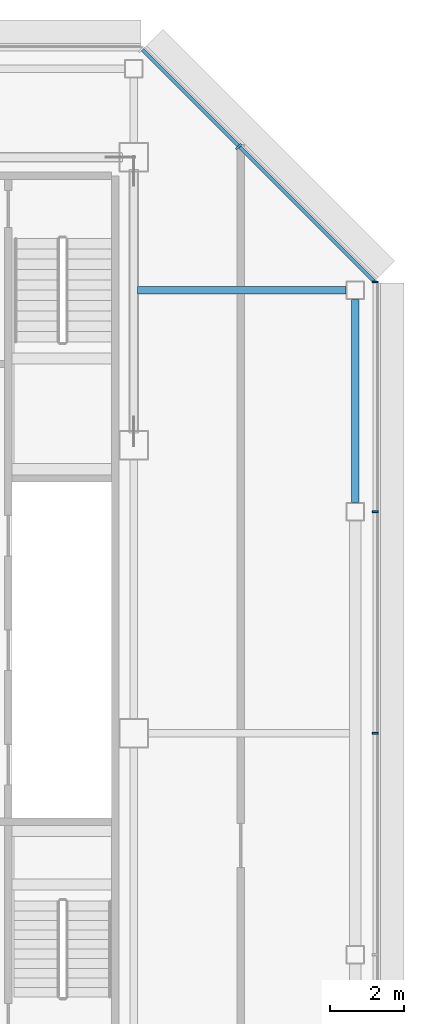
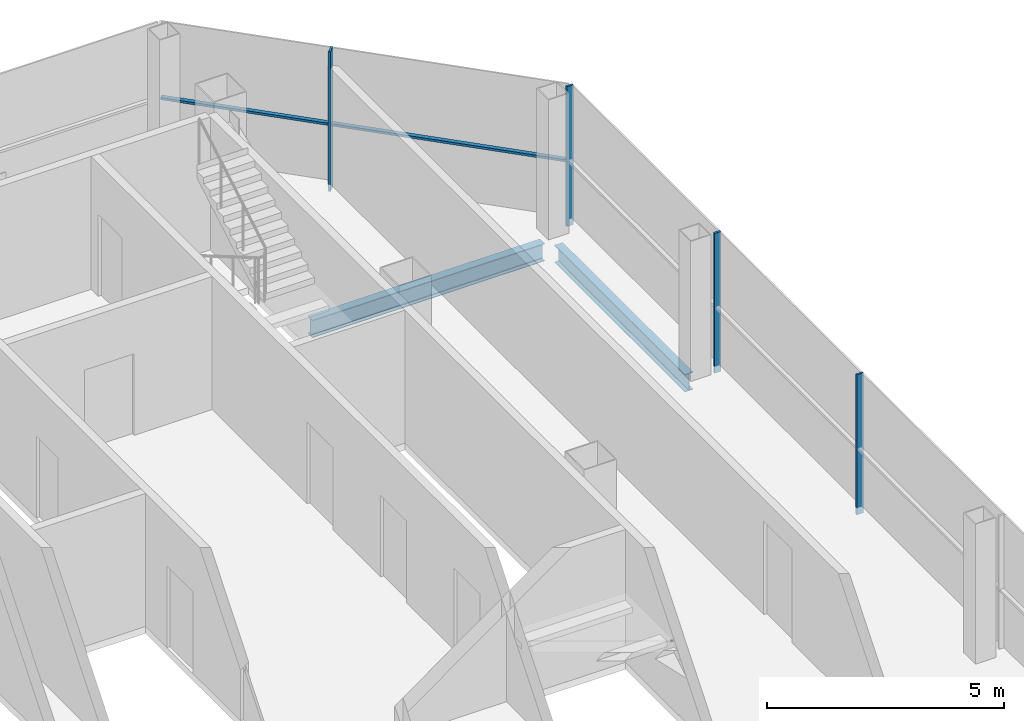
# One storey, part 19 of 27: 5 members, 2 beams, 2 elements without a shape of their own.
"""IFC4 building model written with IfcOpenShell, lengths in metres."""

from ifc_helpers import new_model, si_unit, direction, frame, origin, origin_2d, place, context, subcontext, project, spatial, rectangle, i_section, extrude, material, material_profile, profile_set, type_object, element, aggregate, save


model = new_model("IFC4")

# Units and contexts
model_context = context("Model", 3, precision=1e-05, world=origin(), true_north=direction((0.0, 1.0)))
body_context = subcontext(model_context, "Body", "Model", "MODEL_VIEW")
ifc_project = project(units=[si_unit("LENGTHUNIT", "METRE"), si_unit("AREAUNIT", "SQUARE_METRE"), si_unit("VOLUMEUNIT", "CUBIC_METRE"), si_unit("PLANEANGLEUNIT", "RADIAN"), si_unit("MASSUNIT", "GRAM", prefix="KILO")], contexts=[model_context])

# Site, building, storey
site_placement = place(None, origin())
site = spatial("IfcSite", under=ifc_project, at=site_placement, CompositionType="ELEMENT")
building_placement = place(site_placement, origin())
building = spatial("IfcBuilding", under=site, at=building_placement, Name="Sorahane Residences", CompositionType="ELEMENT")
storey_placement = place(building_placement, frame((0.0, 0.0, 323.199951171875)))
storey = spatial("IfcBuildingStorey", under=building, at=storey_placement, Name="L77", CompositionType="ELEMENT", Elevation=323.199951171875)

# Curtain wall, members
ifc_material_1 = material(Name="Dark low-e glass and black anodised aluminium", Category="aluminium")
curtain_wall_type_1 = type_object("IfcCurtainWallType", Name="Curtain wall CW-1 Typical unitised wall", PredefinedType="NOTDEFINED", material=ifc_material_1)
curtain_wall_1_placement = place(storey_placement, origin())
curtain_wall_1 = element("IfcCurtainWall", 1, at=curtain_wall_1_placement, inside=storey, type_object=curtain_wall_type_1, Name="CW-1 curtain wall L77 E1", PredefinedType="NOTDEFINED")
ifc_material_2 = material(Name="Black anodised aluminium", Category="aluminium")
ifc_material_profile_1 = material_profile(ifc_material_2, rectangle(XDim=0.159912109375, YDim=0.050048828125, at=origin_2d()), Name="Curtain wall mullion CW-1 black anodised aluminium 50x160")
ifc_profile_set_1 = profile_set([ifc_material_profile_1], Name="Black anodised aluminium")
member_type_1 = type_object("IfcMemberType", Name="Curtain wall mullion CW-1 black anodised aluminium 50x160", PredefinedType="MULLION", material=ifc_profile_set_1)
member_1_placement = place(storey_placement, frame((48.5400390625, 30.0, -0.179931640625), z_axis=(0.0, 0.0, 1.0), x_axis=(1.0, 0.0, 0.0)))
member_1 = element("IfcMember", 2, at=member_1_placement, type_object=member_type_1, Name="CW-1 mullion L77 E1.5", PredefinedType="MULLION", context=body_context, shape_type="SweptSolid", body=[
    extrude(rectangle(XDim=0.159912109375, YDim=0.050048828125, at=origin_2d()), origin(), (0.0, 0.0, 1.0), 3.60009765625),
])
member_2_placement = place(storey_placement, frame((48.5400390625, 36.0, -0.179931640625), z_axis=(0.0, 0.0, 1.0), x_axis=(1.0, 0.0, 0.0)))
member_2 = element("IfcMember", 3, at=member_2_placement, type_object=member_type_1, Name="CW-1 mullion L77 E1.6", PredefinedType="MULLION", context=body_context, shape_type="SweptSolid", body=[
    extrude(rectangle(XDim=0.159912109375, YDim=0.050048828125, at=origin_2d()), origin(), (0.0, 0.0, 1.0), 3.60009765625),
])
member_3_placement = place(storey_placement, frame((48.5400390625, 42.2236328125, -0.179931640625), z_axis=(0.0, 0.0, 1.0), x_axis=(1.0, 0.0, 0.0)))
member_3 = element("IfcMember", 4, at=member_3_placement, type_object=member_type_1, Name="CW-1 mullion L77 E1.7", PredefinedType="MULLION", context=body_context, shape_type="SweptSolid", body=[
    extrude(rectangle(XDim=0.159912109375, YDim=0.050048828125, at=origin_2d()), origin(), (0.0, 0.0, 1.0), 3.60009765625),
])
aggregate(curtain_wall_1, [member_1, member_2, member_3])

ifc_material_3 = material(Name="Dark low-e glass and black anodised aluminium", Category="aluminium")
curtain_wall_type_2 = type_object("IfcCurtainWallType", Name="Curtain wall CW-2 Chamfer unitised wall", PredefinedType="NOTDEFINED", material=ifc_material_3)
curtain_wall_2_placement = place(storey_placement, origin())
curtain_wall_2 = element("IfcCurtainWall", 5, at=curtain_wall_2_placement, inside=storey, type_object=curtain_wall_type_2, Name="CW-2 curtain wall L77 NE1", PredefinedType="NOTDEFINED")
ifc_material_4 = material(Name="Black anodised aluminium", Category="aluminium")
ifc_material_profile_2 = material_profile(ifc_material_4, rectangle(XDim=0.199951171875, YDim=0.050048828125, at=origin_2d()), Name="Curtain wall mullion CW-2 black anodised aluminium 50x200")
ifc_profile_set_2 = profile_set([ifc_material_profile_2], Name="Black anodised aluminium")
member_type_2 = type_object("IfcMemberType", Name="Curtain wall mullion CW-2 black anodised aluminium 50x200", PredefinedType="MULLION", material=ifc_profile_set_2)
member_4_placement = place(storey_placement, frame((44.84326171875, 45.89208984375, -0.179931640625), z_axis=(0.0, 0.0, 1.0), x_axis=(0.707106781187, 0.707106781187, 0.0)))
member_4 = element("IfcMember", 6, at=member_4_placement, type_object=member_type_2, Name="CW-2 mullion L77 NE1.2", PredefinedType="MULLION", context=body_context, shape_type="SweptSolid", body=[
    extrude(rectangle(XDim=0.199951171875, YDim=0.050048828125, at=origin_2d()), origin(), (0.0, 0.0, 1.0), 3.60009765625),
])
ifc_material_5 = material(Name="Black anodised aluminium", Category="aluminium")
ifc_material_profile_3 = material_profile(ifc_material_5, rectangle(XDim=0.10009765625, YDim=0.06005859375, at=origin_2d()), Name="Curtain wall transom CW-2 black anodised aluminium 60x100")
ifc_profile_set_3 = profile_set([ifc_material_profile_3], Name="Black anodised aluminium")
member_type_3 = type_object("IfcMemberType", Name="Curtain wall transom CW-2 black anodised aluminium 60x100", PredefinedType="USERDEFINED", material=ifc_profile_set_3)
member_5_placement = place(storey_placement, frame((48.51513671875, 42.234375, 1.5), z_axis=(-0.707106781187, 0.707106781187, 0.0), x_axis=(-0.707106781187, -0.707106781187, 0.0)))
member_5 = element("IfcMember", 7, at=member_5_placement, type_object=member_type_3, Name="CW-2 transom L77 NE1", ObjectType="TRANSOM", PredefinedType="USERDEFINED", context=body_context, shape_type="SweptSolid", body=[
    extrude(rectangle(XDim=0.10009765625, YDim=0.06005859375, at=origin_2d()), origin(), (0.0, 0.0, 1.0), 8.88232421875),
])
aggregate(curtain_wall_2, [member_4, member_5])

# Beams
ifc_material_6 = material(Name="Steel Q355B", Category="steel")
ifc_material_profile_4 = material_profile(ifc_material_6, i_section(OverallWidth=0.199951171875, OverallDepth=0.449951171875, WebThickness=0.009033203125, FlangeThickness=0.013916015625, FilletRadius=0.02001953125, at=origin_2d()), Name="HN 450x200x9x14")
ifc_profile_set_4 = profile_set([ifc_material_profile_4], Name="Steel Q355B")
beam_type = type_object("IfcBeamType", Name="Steel floor beam HN 450x200x9x14 Q355B", PredefinedType="BEAM", material=ifc_profile_set_4)
beam_1_placement = place(storey_placement, frame((48.0, 36.25, -0.405029296875), z_axis=(0.0, 1.0, 0.0), x_axis=(-1.0, 0.0, 0.0)))
element("IfcBeam", 8, at=beam_1_placement, inside=storey, type_object=beam_type, Name="Beam L77 065", PredefinedType="BEAM", context=body_context, shape_type="SweptSolid", body=[
    extrude(i_section(OverallWidth=0.199951171875, OverallDepth=0.449951171875, WebThickness=0.009033203125, FlangeThickness=0.013916015625, FilletRadius=0.02001953125, at=origin_2d()), origin(), (0.0, 0.0, 1.0), 5.5),
])
beam_2_placement = place(storey_placement, frame((42.10009765625, 42.0, -0.405029296875), z_axis=(1.0, 0.0, 0.0), x_axis=(0.0, 1.0, 0.0)))
element("IfcBeam", 9, at=beam_2_placement, inside=storey, type_object=beam_type, Name="Beam L77 090", PredefinedType="BEAM", context=body_context, shape_type="SweptSolid", body=[
    extrude(i_section(OverallWidth=0.199951171875, OverallDepth=0.449951171875, WebThickness=0.009033203125, FlangeThickness=0.013916015625, FilletRadius=0.02001953125, at=origin_2d()), origin(), (0.0, 0.0, 1.0), 5.64990234375),
])

save(model, "model.ifc")
